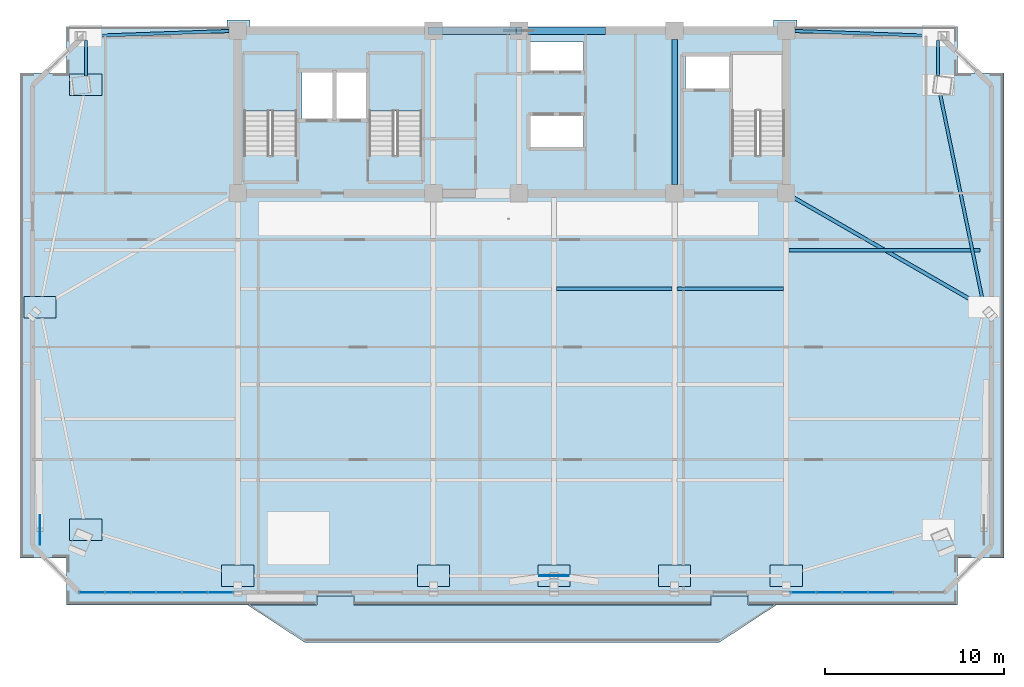
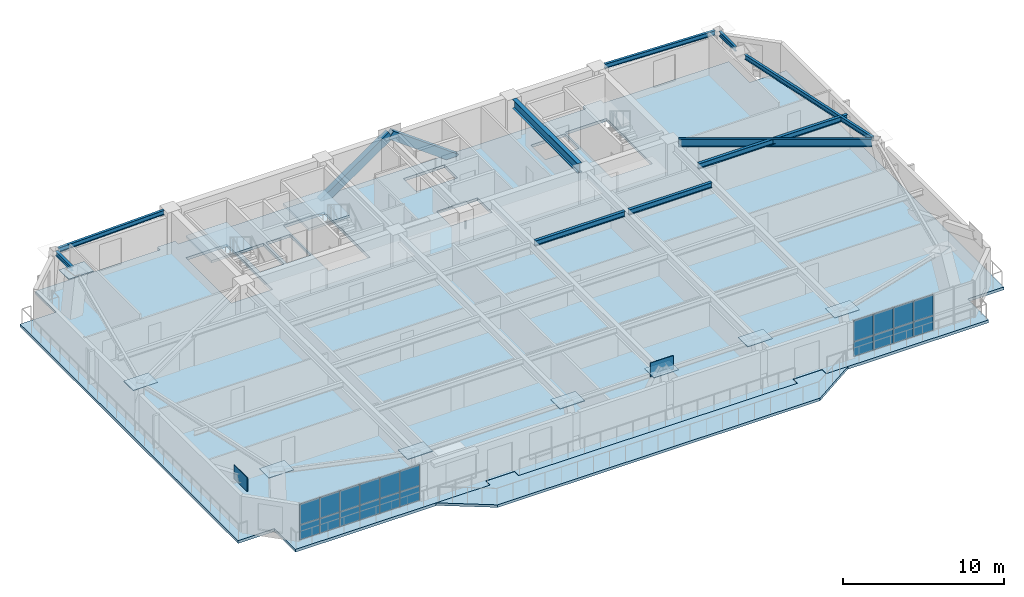
# One storey, part 7 of 16: 30 plates, 10 beams, 4 slabs, 2 members, 4 elements without a shape of their own.
"""IFC4 building model written with IfcOpenShell, lengths in metres."""

from ifc_helpers import new_model, si_unit, direction, frame, origin, origin_2d, place, context, subcontext, project, spatial, polyline, rectangle, hollow_rectangle, i_section, outline, extrude, source, transform, mapped, material, layer, layer_set, material_profile, profile_set, type_object, element, aggregate, save


model = new_model("IFC4")

# Units and contexts
model_context = context("Model", 3, precision=1e-05, world=origin(), true_north=direction((0.0, 1.0)))
body_context = subcontext(model_context, "Body", "Model", "MODEL_VIEW")
ifc_project = project(units=[si_unit("LENGTHUNIT", "METRE"), si_unit("AREAUNIT", "SQUARE_METRE"), si_unit("VOLUMEUNIT", "CUBIC_METRE"), si_unit("PLANEANGLEUNIT", "RADIAN"), si_unit("MASSUNIT", "GRAM", prefix="KILO")], contexts=[model_context])

# Site, building, storey
site_placement = place(None, origin())
site = spatial("IfcSite", under=ifc_project, at=site_placement, CompositionType="ELEMENT")
building_placement = place(site_placement, origin())
building = spatial("IfcBuilding", under=site, at=building_placement, Name="Giltprow Tower", CompositionType="ELEMENT")
storey_placement = place(building_placement, frame((0.0, 0.0, 255.300048828125)))
storey = spatial("IfcBuildingStorey", under=building, at=storey_placement, Name="L65", CompositionType="ELEMENT", Elevation=255.300048828125)

# Beams
ifc_material_1 = material(Name="Structural steel Q355B", Category="steel")
ifc_material_profile_1 = material_profile(ifc_material_1, i_section(OverallWidth=0.300048828125, OverallDepth=0.699951171875, WebThickness=0.012939453125, FlangeThickness=0.02392578125, at=origin_2d()), Name="HN 700x300x13x24")
ifc_profile_set_1 = profile_set([ifc_material_profile_1], Name="Structural steel Q355B")
beam_type_1 = type_object("IfcBeamType", Name="BM-GIRD-HN700", PredefinedType="BEAM", material=ifc_profile_set_1)
shared_shape_1 = source(origin(), body_context, "Body", "SweptSolid", [
    extrude(i_section(OverallWidth=0.300048828125, OverallDepth=0.699951171875, WebThickness=0.012939453125, FlangeThickness=0.02392578125, at=origin_2d()), origin(), (0.0, 0.0, 1.0), 8.1298828125),
])
beam_1_placement = place(storey_placement, frame((44.300048828125, 37.93505859375, 2.8349609375), z_axis=(0.0, 1.0, 0.0), x_axis=(-1.0, 0.0, 0.0)))
element("IfcBeam", 1, at=beam_1_placement, inside=storey, type_object=beam_type_1, Name="L65 Core Tie Girder M3", PredefinedType="BEAM", context=body_context, shape_type="MappedRepresentation", body=[
    mapped(shared_shape_1, transform((0.0, 0.0, 0.0), x_axis=(1.0, 0.0, 0.0), y_axis=(0.0, 1.0, 0.0), z_axis=(0.0, 0.0, 1.0), scale=1.0)),
])
ifc_material_profile_2 = material_profile(ifc_material_1, i_section(OverallWidth=0.199951171875, OverallDepth=0.39990234375, WebThickness=0.008056640625, FlangeThickness=0.012939453125, at=origin_2d()), Name="HN 400x200x8x13")
ifc_profile_set_2 = profile_set([ifc_material_profile_2], Name="Structural steel Q355B")
beam_type_2 = type_object("IfcBeamType", Name="BM-JOIST-HN400", PredefinedType="JOIST", material=ifc_profile_set_2)
shared_shape_2 = source(origin(), body_context, "Body", "SweptSolid", [
    extrude(i_section(OverallWidth=0.199951171875, OverallDepth=0.39990234375, WebThickness=0.008056640625, FlangeThickness=0.012939453125, at=origin_2d()), origin(), (0.0, 0.0, 1.0), 6.4599609375),
])
beam_2_placement = place(storey_placement, frame((37.695068359375, 32.09912109375, 2.98486328125), z_axis=(1.0, 0.0, 0.0), x_axis=(0.0, 1.0, 0.0)))
element("IfcBeam", 2, at=beam_2_placement, inside=storey, type_object=beam_type_2, Name="L65 Composite Floor Joist 3-3", PredefinedType="JOIST", context=body_context, shape_type="MappedRepresentation", body=[
    mapped(shared_shape_2, transform((0.0, 0.0, 0.0), x_axis=(1.0, 0.0, 0.0), y_axis=(0.0, 1.0, 0.0), z_axis=(0.0, 0.0, 1.0), scale=1.0)),
])
shared_shape_3 = source(origin(), body_context, "Body", "SweptSolid", [
    extrude(i_section(OverallWidth=0.199951171875, OverallDepth=0.39990234375, WebThickness=0.008056640625, FlangeThickness=0.012939453125, at=origin_2d()), origin(), (0.0, 0.0, 1.0), 5.9599609375),
])
beam_3_placement = place(storey_placement, frame((44.445068359375, 32.09912109375, 2.98486328125), z_axis=(1.0, 0.0, 0.0), x_axis=(0.0, 1.0, 0.0)))
element("IfcBeam", 3, at=beam_3_placement, inside=storey, type_object=beam_type_2, Name="L65 Composite Floor Joist 3-4", PredefinedType="JOIST", context=body_context, shape_type="MappedRepresentation", body=[
    mapped(shared_shape_3, transform((0.0, 0.0, 0.0), x_axis=(1.0, 0.0, 0.0), y_axis=(0.0, 1.0, 0.0), z_axis=(0.0, 0.0, 1.0), scale=1.0)),
])
ifc_material_profile_3 = material_profile(ifc_material_1, i_section(OverallWidth=0.175048828125, OverallDepth=0.35009765625, WebThickness=0.007080078125, FlangeThickness=0.010986328125, at=origin_2d()), Name="HN 350x175x7x11")
ifc_profile_set_3 = profile_set([ifc_material_profile_3], Name="Structural steel Q355B")
beam_type_3 = type_object("IfcBeamType", Name="BM-SPAN-HN350", PredefinedType="SPANDREL", material=ifc_profile_set_3)
shared_shape_4 = source(origin(), body_context, "Body", "SweptSolid", [
    extrude(i_section(OverallWidth=0.175048828125, OverallDepth=0.35009765625, WebThickness=0.007080078125, FlangeThickness=0.010986328125, at=origin_2d()), origin(), (0.0, 0.0, 1.0), 12.000244140625),
])
beam_4_placement = place(storey_placement, frame((61.574951171875, 31.302001953125, 3.010009765625), z_axis=(-0.202000773979, 0.979385362006, 0.0), x_axis=(-0.979385362006, -0.202000773979, 0.0)))
element("IfcBeam", 4, at=beam_4_placement, inside=storey, type_object=beam_type_3, Name="L65 Perimeter Spandrel Beam E_MID-MC_NE", PredefinedType="SPANDREL", context=body_context, shape_type="MappedRepresentation", body=[
    mapped(shared_shape_4, transform((0.0, 0.0, 0.0), x_axis=(1.0, 0.0, 0.0), y_axis=(0.0, 1.0, 0.0), z_axis=(0.0, 0.0, 1.0), scale=1.0)),
])
shared_shape_5 = source(origin(), body_context, "Body", "SweptSolid", [
    extrude(i_section(OverallWidth=0.175048828125, OverallDepth=0.35009765625, WebThickness=0.007080078125, FlangeThickness=0.010986328125, at=origin_2d()), origin(), (0.0, 0.0, 1.0), 2.0),
])
for number, where, z_axis, x_axis, name in (
    (5, (59.052978515625, 44.014892578125, 3.010009765625), (0.0, 1.0, 0.0), (-1.0, 0.0, 0.0), "L65 Perimeter Spandrel Beam MC_NE-N_E"),
    (6, (11.347900390625, 46.014892578125, 3.010009765625), (0.0, -1.0, 0.0), (1.0, 0.0, 0.0), "L65 Perimeter Spandrel Beam N_W-MC_NW"),
):
    element("IfcBeam", number, at=place(storey_placement, frame(where, z_axis=z_axis, x_axis=x_axis)), inside=storey, type_object=beam_type_3, Name=name, PredefinedType="SPANDREL", context=body_context, shape_type="MappedRepresentation", body=[
        mapped(shared_shape_5, transform((0.0, 0.0, 0.0), x_axis=(1.0, 0.0, 0.0), y_axis=(0.0, 1.0, 0.0), z_axis=(0.0, 0.0, 1.0), scale=1.0)),
    ])
shared_shape_6 = source(origin(), body_context, "Body", "SweptSolid", [
    extrude(i_section(OverallWidth=0.175048828125, OverallDepth=0.35009765625, WebThickness=0.007080078125, FlangeThickness=0.010986328125, at=origin_2d()), origin(), (0.0, 0.0, 1.0), 7.786865234375),
])
beam_5_placement = place(storey_placement, frame((11.5830078125, 46.258056640625, 3.010009765625), z_axis=(0.999376638226, 0.035303469636, 0.0), x_axis=(-0.035303469636, 0.999376638226, 0.0)))
element("IfcBeam", 7, at=beam_5_placement, inside=storey, type_object=beam_type_3, Name="L65 North Wing Spandrel W", PredefinedType="SPANDREL", context=body_context, shape_type="MappedRepresentation", body=[
    mapped(shared_shape_6, transform((0.0, 0.0, 0.0), x_axis=(1.0, 0.0, 0.0), y_axis=(0.0, 1.0, 0.0), z_axis=(0.0, 0.0, 1.0), scale=1.0)),
])
shared_shape_7 = source(origin(), body_context, "Body", "SweptSolid", [
    extrude(i_section(OverallWidth=0.175048828125, OverallDepth=0.35009765625, WebThickness=0.007080078125, FlangeThickness=0.010986328125, at=origin_2d()), origin(), (0.0, 0.0, 1.0), 7.7880859375),
])
beam_6_placement = place(storey_placement, frame((51.034912109375, 46.532958984375, 3.010009765625), z_axis=(0.999376833562, -0.035297939604, 0.0), x_axis=(0.035297939604, 0.999376833562, 0.0)))
element("IfcBeam", 8, at=beam_6_placement, inside=storey, type_object=beam_type_3, Name="L65 North Wing Spandrel E", PredefinedType="SPANDREL", context=body_context, shape_type="MappedRepresentation", body=[
    mapped(shared_shape_7, transform((0.0, 0.0, 0.0), x_axis=(1.0, 0.0, 0.0), y_axis=(0.0, 1.0, 0.0), z_axis=(0.0, 0.0, 1.0), scale=1.0)),
])
ifc_material_profile_4 = material_profile(ifc_material_1, i_section(OverallWidth=0.199951171875, OverallDepth=0.60009765625, WebThickness=0.010986328125, FlangeThickness=0.01708984375, at=origin_2d()), Name="HN 600x200x11x17")
ifc_profile_set_4 = profile_set([ifc_material_profile_4], Name="Structural steel Q355B")
beam_type_4 = type_object("IfcBeamType", Name="BM-GIRD-HN600", PredefinedType="BEAM", material=ifc_profile_set_4)
shared_shape_8 = source(origin(), body_context, "Body", "SweptSolid", [
    extrude(i_section(OverallWidth=0.199951171875, OverallDepth=0.60009765625, WebThickness=0.010986328125, FlangeThickness=0.01708984375, at=origin_2d()), origin(), (0.0, 0.0, 1.0), 12.057861328125),
])
beam_7_placement = place(storey_placement, frame((61.41796875, 31.18896484375, 2.885009765625), z_axis=(-0.866495874542, 0.499184233928, 0.0), x_axis=(-0.499184233928, -0.866495874542, 0.0)))
element("IfcBeam", 9, at=beam_7_placement, inside=storey, type_object=beam_type_4, Name="L65 East Wing Primary Girder", PredefinedType="BEAM", context=body_context, shape_type="MappedRepresentation", body=[
    mapped(shared_shape_8, transform((0.0, 0.0, 0.0), x_axis=(1.0, 0.0, 0.0), y_axis=(0.0, 1.0, 0.0), z_axis=(0.0, 0.0, 1.0), scale=1.0)),
])
shared_shape_9 = source(origin(), body_context, "Body", "SweptSolid", [
    extrude(i_section(OverallWidth=0.199951171875, OverallDepth=0.39990234375, WebThickness=0.008056640625, FlangeThickness=0.012939453125, at=origin_2d()), origin(), (0.0, 0.0, 1.0), 10.70703125),
])
beam_8_placement = place(storey_placement, frame((50.695068359375, 34.260986328125, 2.98486328125), z_axis=(1.0, 0.0, 0.0), x_axis=(0.0, 1.0, 0.0)))
element("IfcBeam", 10, at=beam_8_placement, inside=storey, type_object=beam_type_2, Name="L65 East Wing Floor Joist 2", PredefinedType="JOIST", context=body_context, shape_type="MappedRepresentation", body=[
    mapped(shared_shape_9, transform((0.0, 0.0, 0.0), x_axis=(1.0, 0.0, 0.0), y_axis=(0.0, 1.0, 0.0), z_axis=(0.0, 0.0, 1.0), scale=1.0)),
])

# Members
ifc_material_2 = material(Name="Structural steel Q420GJC", Category="steel")
ifc_material_profile_5 = material_profile(ifc_material_2, hollow_rectangle(XDim=0.39990234375, YDim=0.60009765625, WallThickness=0.028076171875, at=origin_2d()), Name="RHS 600x400x28")
ifc_profile_set_5 = profile_set([ifc_material_profile_5], Name="Structural steel Q420GJC")
member_type = type_object("IfcMemberType", Name="MBR-MEGA-RHS600", PredefinedType="BRACE", material=ifc_profile_set_5)
shared_shape_10 = source(origin(), body_context, "Body", "SweptSolid", [
    extrude(hollow_rectangle(XDim=0.39990234375, YDim=0.60009765625, WallThickness=0.028076171875, at=origin_2d()), origin(), (0.0, 0.0, 1.0), 5.774169921875),
])
member_1_placement = place(storey_placement, frame((40.26708984375, 46.550048828125, -0.14013671875), z_axis=(-0.808243970451, 0.0, 0.588847759807), x_axis=(0.0, -1.0, 0.0)))
element("IfcMember", 11, at=member_1_placement, inside=storey, type_object=member_type, Name="L65 Chevron Mega-Brace N-R", PredefinedType="BRACE", context=body_context, shape_type="MappedRepresentation", body=[
    mapped(shared_shape_10, transform((0.0, 0.0, 0.0), x_axis=(1.0, 0.0, 0.0), y_axis=(0.0, 1.0, 0.0), z_axis=(0.0, 0.0, 1.0), scale=1.0)),
])
shared_shape_11 = source(origin(), body_context, "Body", "SweptSolid", [
    extrude(hollow_rectangle(XDim=0.39990234375, YDim=0.60009765625, WallThickness=0.028076171875, at=origin_2d()), origin(), (0.0, 0.0, 1.0), 5.991455078125),
])
member_2_placement = place(storey_placement, frame((30.6669921875, 46.550048828125, -0.14013671875), z_axis=(0.823368394688, 0.0, 0.567507256895), x_axis=(0.0, 1.0, 0.0)))
element("IfcMember", 12, at=member_2_placement, inside=storey, type_object=member_type, Name="L65 Chevron Mega-Brace N-L", PredefinedType="BRACE", context=body_context, shape_type="MappedRepresentation", body=[
    mapped(shared_shape_11, transform((0.0, 0.0, 0.0), x_axis=(1.0, 0.0, 0.0), y_axis=(0.0, 1.0, 0.0), z_axis=(0.0, 0.0, 1.0), scale=1.0)),
])

# Slabs
ifc_material_3 = material(Name="Concrete C40", Category="concrete")
ifc_layer_1 = layer(ifc_material_3, 0.199951171875, Name="Concrete C40")
ifc_layer_set_1 = layer_set([ifc_layer_1], Name="Concrete C40")
slab_type_1 = type_object("IfcSlabType", Name="SLB-BALC-BRONZE-200", PredefinedType="FLOOR", material=ifc_layer_set_1)
slab_1_placement = place(storey_placement, frame((0.0, 0.0, -0.199951171875)))
element("IfcSlab", 13, at=slab_1_placement, inside=storey, type_object=slab_type_1, Name="L65 Bronze Prow Waterfront Balcony Slab", PredefinedType="FLOOR", context=body_context, shape_type="SweptSolid", body=[
    extrude(outline(polyline([(50.0, 14.4130859375), (46.800048828125, 12.31298828125), (23.60009765625, 12.31298828125), (20.39990234375, 14.4130859375), (24.280029296875, 14.4130859375), (24.280029296875, 14.9130859375), (26.320068359375, 14.9130859375), (26.320068359375, 14.4130859375), (46.3798828125, 14.4130859375), (46.3798828125, 14.9130859375), (48.419921875, 14.9130859375), (48.419921875, 14.4130859375), (50.0, 14.4130859375)])), origin(), (0.0, 0.0, 1.0), 0.199951171875),
])
ifc_layer_2 = layer(ifc_material_3, 0.215087890625, Name="Concrete C40")
ifc_layer_set_2 = layer_set([ifc_layer_2], Name="Concrete C40")
slab_type_2 = type_object("IfcSlabType", Name="SLB-RES-215", PredefinedType="FLOOR", material=ifc_layer_set_2)
slab_2_placement = place(storey_placement, frame((0.0, 0.0, -0.215087890625)))
element("IfcSlab", 14, at=slab_2_placement, inside=storey, type_object=slab_type_2, Name="L65 Structural Composite Floor Slab", PredefinedType="FLOOR", context=body_context, shape_type="SweptSolid", body=[
    extrude(outline(polyline([(62.737060546875, 44.18408203125), (62.737060546875, 17.028076171875), (60.1220703125, 17.028076171875), (60.1220703125, 14.4130859375), (48.449951171875, 14.4130859375), (48.449951171875, 14.93310546875), (46.35009765625, 14.93310546875), (46.35009765625, 14.4130859375), (26.35009765625, 14.4130859375), (26.35009765625, 14.93310546875), (24.25, 14.93310546875), (24.25, 14.4130859375), (10.279052734375, 14.4130859375), (10.279052734375, 17.028076171875), (7.6640625, 17.028076171875), (7.6640625, 44.18408203125), (10.279052734375, 44.18408203125), (10.279052734375, 46.800048828125), (19.25, 46.800048828125), (19.25, 47.14990234375), (20.550048828125, 47.14990234375), (20.550048828125, 46.800048828125), (49.85009765625, 46.800048828125), (49.85009765625, 47.14990234375), (51.14990234375, 47.14990234375), (51.14990234375, 46.800048828125), (60.1220703125, 46.800048828125), (60.1220703125, 44.18408203125), (62.737060546875, 44.18408203125)]), holes=[polyline([(39.18994140625, 41.800048828125), (36.239990234375, 41.800048828125), (36.239990234375, 40.0), (39.18994140625, 40.0), (39.18994140625, 41.800048828125)]), polyline([(23.159912109375, 39.570068359375), (23.159912109375, 45.25), (20.199951171875, 45.25), (20.199951171875, 39.570068359375), (23.159912109375, 39.570068359375)]), polyline([(30.159912109375, 39.570068359375), (30.159912109375, 45.25), (27.199951171875, 45.25), (27.199951171875, 39.570068359375), (30.159912109375, 39.570068359375)]), polyline([(50.4599609375, 45.25), (47.5, 45.25), (47.5, 39.570068359375), (50.4599609375, 39.570068359375), (50.4599609375, 45.25)]), polyline([(25.169921875, 44.199951171875), (23.449951171875, 44.199951171875), (23.449951171875, 41.60009765625), (25.169921875, 41.60009765625), (25.169921875, 44.199951171875)]), polyline([(27.10009765625, 44.199951171875), (25.35009765625, 44.199951171875), (25.35009765625, 41.60009765625), (27.10009765625, 41.60009765625), (27.10009765625, 44.199951171875)]), polyline([(47.3798828125, 43.300048828125), (47.3798828125, 45.10009765625), (44.919921875, 45.10009765625), (44.919921875, 43.300048828125), (47.3798828125, 43.300048828125)]), polyline([(39.18994140625, 44.300048828125), (39.18994140625, 45.919921875), (36.239990234375, 45.919921875), (36.239990234375, 44.300048828125), (39.18994140625, 44.300048828125)])]), origin(), (0.0, 0.0, 1.0), 0.215087890625),
])

# Stair, slab
stair_type_1 = type_object("IfcStairType", Name="STR-ST-1", PredefinedType="HALF_TURN_STAIR", material=ifc_material_3)
stair_1_placement = place(storey_placement, origin())
stair_1 = element("IfcStair", 15, at=stair_1_placement, inside=storey, type_object=stair_type_1, Name="L65 Core Exit Stair ST-1", PredefinedType="HALF_TURN_STAIR")
ifc_layer_3 = layer(ifc_material_3, 0.179931640625, Name="Concrete C40")
ifc_layer_set_3 = layer_set([ifc_layer_3], Name="Concrete C40")
slab_type_3 = type_object("IfcSlabType", Name="SLD-ST-1", PredefinedType="LANDING", material=ifc_layer_set_3)
slab_3_placement = place(storey_placement, frame((0.0, 0.0, 1.52001953125)))
slab_3 = element("IfcSlab", 16, at=slab_3_placement, type_object=slab_type_3, Name="ST-1 landing 1", PredefinedType="LANDING", context=body_context, shape_type="SweptSolid", body=[
    extrude(outline(polyline([(23.159912109375, 42.070068359375), (23.159912109375, 45.25), (20.199951171875, 45.25), (20.199951171875, 42.070068359375), (23.159912109375, 42.070068359375)])), origin(), (0.0, 0.0, 1.0), 0.179931640625),
])
aggregate(stair_1, [slab_3])

stair_type_2 = type_object("IfcStairType", Name="STR-ST-2", PredefinedType="HALF_TURN_STAIR", material=ifc_material_3)
stair_2_placement = place(storey_placement, origin())
stair_2 = element("IfcStair", 17, at=stair_2_placement, inside=storey, type_object=stair_type_2, Name="L65 Core Exit Stair ST-2", PredefinedType="HALF_TURN_STAIR")
ifc_layer_4 = layer(ifc_material_3, 0.18798828125, Name="Concrete C40")
ifc_layer_set_4 = layer_set([ifc_layer_4], Name="Concrete C40")
slab_type_4 = type_object("IfcSlabType", Name="SLD-ST-2", PredefinedType="LANDING", material=ifc_layer_set_4)
slab_4_placement = place(storey_placement, frame((0.0, 0.0, 1.511962890625)))
slab_4 = element("IfcSlab", 18, at=slab_4_placement, type_object=slab_type_4, Name="ST-2 landing 1", PredefinedType="LANDING", context=body_context, shape_type="SweptSolid", body=[
    extrude(outline(polyline([(30.159912109375, 42.070068359375), (30.159912109375, 45.25), (27.199951171875, 45.25), (27.199951171875, 42.070068359375), (30.159912109375, 42.070068359375)])), origin(), (0.0, 0.0, 1.0), 0.18798828125),
])
aggregate(stair_2, [slab_4])

# Plates
plate_type_1 = type_object("IfcPlateType", Name="PLT-NODE-CKN1", PredefinedType="USERDEFINED", material=ifc_material_2)
shared_shape_12 = source(origin(), body_context, "Body", "SweptSolid", [
    extrude(rectangle(XDim=1.800048828125, YDim=1.199951171875, at=origin_2d()), origin(), (0.0, 0.0, 1.0), 0.044921875),
])
for number, where, z_axis, x_axis, name in (
    (19, (11.347900390625, 18.614013671875, 3.142578125), (0.0, 0.0, 1.0), (1.0, 0.0, 0.0), "CKN1 Column Taper Splice Node L65-MC_SW"),
    (20, (11.347900390625, 43.530029296875, 3.142578125), (0.0, 0.0, 1.0), (1.0, 0.0, 0.0), "CKN1 Column Taper Splice Node L65-MC_NW"),
    (21, (19.85009765625, 16.044921875, 3.142578125), (0.0, 0.0, 1.0), (1.0, 0.0, 0.0), "CKN1 Column Taper Splice Node L65-S1"),
    (22, (30.800048828125, 16.044921875, 3.142578125), (0.0, 0.0, 1.0), (1.0, 0.0, 0.0), "CKN1 Column Taper Splice Node L65-S2"),
    (23, (37.550048828125, 16.044921875, 3.142578125), (0.0, 0.0, 1.0), (1.0, 0.0, 0.0), "CKN1 Column Taper Splice Node L65-S_MID"),
    (24, (44.300048828125, 16.044921875, 3.142578125), (0.0, 0.0, 1.0), (1.0, 0.0, 0.0), "CKN1 Column Taper Splice Node L65-S3"),
    (25, (50.550048828125, 16.044921875, 3.142578125), (0.0, 0.0, 1.0), (1.0, 0.0, 0.0), "CKN1 Column Taper Splice Node L65-S4"),
    (26, (8.779052734375, 31.072021484375, 3.142578125), (0.0, 0.0, 1.0), (1.0, 0.0, 0.0), "CKN1 Column Taper Splice Node L65-W_MID"),
):
    element("IfcPlate", number, at=place(storey_placement, frame(where, z_axis=z_axis, x_axis=x_axis)), inside=storey, type_object=plate_type_1, Name=name, ObjectType="SPLICE", PredefinedType="USERDEFINED", context=body_context, shape_type="MappedRepresentation", body=[
        mapped(shared_shape_12, transform((0.0, 0.0, 0.0), x_axis=(1.0, 0.0, 0.0), y_axis=(0.0, 1.0, 0.0), z_axis=(0.0, 0.0, 1.0), scale=1.0)),
    ])
plate_type_2 = type_object("IfcPlateType", Name="PLT-NODE-MBN2", PredefinedType="USERDEFINED", material=ifc_material_2)
shared_shape_13 = source(origin(), body_context, "Body", "SweptSolid", [
    extrude(rectangle(XDim=1.64990234375, YDim=0.044921875, at=origin_2d()), origin(), (0.0, 0.0, 1.0), 1.050048828125),
])
for number, where, z_axis, x_axis, name in (
    (27, (37.550048828125, 16.044921875, 2.875), (0.0, 0.0, 1.0), (1.0, 0.0, 0.0), "Mega-Brace Node L65-S-LB"),
    (28, (8.779052734375, 18.614013671875, 2.875), (0.0, 0.0, 1.0), (0.0, 1.0, 0.0), "Mega-Brace Node L65-W-DB"),
):
    element("IfcPlate", number, at=place(storey_placement, frame(where, z_axis=z_axis, x_axis=x_axis)), inside=storey, type_object=plate_type_2, Name=name, ObjectType="GUSSET", PredefinedType="USERDEFINED", context=body_context, shape_type="MappedRepresentation", body=[
        mapped(shared_shape_13, transform((0.0, 0.0, 0.0), x_axis=(1.0, 0.0, 0.0), y_axis=(0.0, 1.0, 0.0), z_axis=(0.0, 0.0, 1.0), scale=1.0)),
    ])

# Curtain wall, plates
ifc_material_4 = material(Name="Anodized bronze", Category="metal")
ifc_layer_5 = layer(ifc_material_4, 0.179931640625, Name="Anodized bronze")
ifc_layer_set_5 = layer_set([ifc_layer_5], Name="Anodized bronze")
curtain_wall_type = type_object("IfcCurtainWallType", Name="CW-RES-SKY", PredefinedType="NOTDEFINED", material=ifc_layer_set_5)
curtain_wall_1_placement = place(storey_placement, origin())
curtain_wall_1 = element("IfcCurtainWall", 29, at=curtain_wall_1_placement, inside=storey, type_object=curtain_wall_type, Name="L65 South Recessed Curtain Wall 1", PredefinedType="NOTDEFINED")
ifc_material_5 = material(Name="Insulated glass", Category="glass")
plate_type_3 = type_object("IfcPlateType", Name="CW-PANEL-IGU-28", PredefinedType="CURTAIN_PANEL", material=ifc_material_5)
shared_shape_14 = source(origin(), body_context, "Body", "SweptSolid", [
    extrude(rectangle(XDim=1.406982421875, YDim=0.028076171875, at=origin_2d()), origin(), (0.0, 0.0, 1.0), 1.114013671875),
])
plate_1_placement = place(storey_placement, frame((11.697021484375, 15.113037109375, 0.0537109375), z_axis=(0.0, 0.0, 1.0), x_axis=(1.0, 0.0, 0.0)))
plate_1 = element("IfcPlate", 30, at=plate_1_placement, type_object=plate_type_3, Name="L65 South Recessed Curtain Wall 1 Glazing Panel 1-1", PredefinedType="CURTAIN_PANEL", context=body_context, shape_type="MappedRepresentation", body=[
    mapped(shared_shape_14, transform((0.0, 0.0, 0.0), x_axis=(1.0, 0.0, 0.0), y_axis=(0.0, 1.0, 0.0), z_axis=(0.0, 0.0, 1.0), scale=1.0)),
])
plate_2_placement = place(storey_placement, frame((13.134033203125, 15.113037109375, 0.0537109375), z_axis=(0.0, 0.0, 1.0), x_axis=(1.0, 0.0, 0.0)))
plate_2 = element("IfcPlate", 31, at=plate_2_placement, type_object=plate_type_3, Name="L65 South Recessed Curtain Wall 1 Glazing Panel 2-1", PredefinedType="CURTAIN_PANEL", context=body_context, shape_type="MappedRepresentation", body=[
    mapped(shared_shape_14, transform((0.0, 0.0, 0.0), x_axis=(1.0, 0.0, 0.0), y_axis=(0.0, 1.0, 0.0), z_axis=(0.0, 0.0, 1.0), scale=1.0)),
])
plate_3_placement = place(storey_placement, frame((14.571044921875, 15.113037109375, 0.0537109375), z_axis=(0.0, 0.0, 1.0), x_axis=(1.0, 0.0, 0.0)))
plate_3 = element("IfcPlate", 32, at=plate_3_placement, type_object=plate_type_3, Name="L65 South Recessed Curtain Wall 1 Glazing Panel 3-1", PredefinedType="CURTAIN_PANEL", context=body_context, shape_type="MappedRepresentation", body=[
    mapped(shared_shape_14, transform((0.0, 0.0, 0.0), x_axis=(1.0, 0.0, 0.0), y_axis=(0.0, 1.0, 0.0), z_axis=(0.0, 0.0, 1.0), scale=1.0)),
])
plate_4_placement = place(storey_placement, frame((16.008056640625, 15.113037109375, 0.0537109375), z_axis=(0.0, 0.0, 1.0), x_axis=(1.0, 0.0, 0.0)))
plate_4 = element("IfcPlate", 33, at=plate_4_placement, type_object=plate_type_3, Name="L65 South Recessed Curtain Wall 1 Glazing Panel 4-1", PredefinedType="CURTAIN_PANEL", context=body_context, shape_type="MappedRepresentation", body=[
    mapped(shared_shape_14, transform((0.0, 0.0, 0.0), x_axis=(1.0, 0.0, 0.0), y_axis=(0.0, 1.0, 0.0), z_axis=(0.0, 0.0, 1.0), scale=1.0)),
])
plate_5_placement = place(storey_placement, frame((17.445068359375, 15.113037109375, 0.0537109375), z_axis=(0.0, 0.0, 1.0), x_axis=(1.0, 0.0, 0.0)))
plate_5 = element("IfcPlate", 34, at=plate_5_placement, type_object=plate_type_3, Name="L65 South Recessed Curtain Wall 1 Glazing Panel 5-1", PredefinedType="CURTAIN_PANEL", context=body_context, shape_type="MappedRepresentation", body=[
    mapped(shared_shape_14, transform((0.0, 0.0, 0.0), x_axis=(1.0, 0.0, 0.0), y_axis=(0.0, 1.0, 0.0), z_axis=(0.0, 0.0, 1.0), scale=1.0)),
])
plate_6_placement = place(storey_placement, frame((18.882080078125, 15.113037109375, 0.0537109375), z_axis=(0.0, 0.0, 1.0), x_axis=(1.0, 0.0, 0.0)))
plate_6 = element("IfcPlate", 35, at=plate_6_placement, type_object=plate_type_3, Name="L65 South Recessed Curtain Wall 1 Glazing Panel 6-1", PredefinedType="CURTAIN_PANEL", context=body_context, shape_type="MappedRepresentation", body=[
    mapped(shared_shape_14, transform((0.0, 0.0, 0.0), x_axis=(1.0, 0.0, 0.0), y_axis=(0.0, 1.0, 0.0), z_axis=(0.0, 0.0, 1.0), scale=1.0)),
])

curtain_wall_2_placement = place(storey_placement, origin())
curtain_wall_2 = element("IfcCurtainWall", 36, at=curtain_wall_2_placement, inside=storey, type_object=curtain_wall_type, Name="L65 South Recessed Curtain Wall 6", PredefinedType="NOTDEFINED")
plate_7_placement = place(storey_placement, frame((51.51806640625, 15.113037109375, 0.0537109375), z_axis=(0.0, 0.0, 1.0), x_axis=(1.0, 0.0, 0.0)))
plate_7 = element("IfcPlate", 37, at=plate_7_placement, type_object=plate_type_3, Name="L65 South Recessed Curtain Wall 6 Glazing Panel 1-1", PredefinedType="CURTAIN_PANEL", context=body_context, shape_type="MappedRepresentation", body=[
    mapped(shared_shape_14, transform((0.0, 0.0, 0.0), x_axis=(1.0, 0.0, 0.0), y_axis=(0.0, 1.0, 0.0), z_axis=(0.0, 0.0, 1.0), scale=1.0)),
])
plate_8_placement = place(storey_placement, frame((52.9560546875, 15.113037109375, 0.0537109375), z_axis=(0.0, 0.0, 1.0), x_axis=(1.0, 0.0, 0.0)))
plate_8 = element("IfcPlate", 38, at=plate_8_placement, type_object=plate_type_3, Name="L65 South Recessed Curtain Wall 6 Glazing Panel 2-1", PredefinedType="CURTAIN_PANEL", context=body_context, shape_type="MappedRepresentation", body=[
    mapped(shared_shape_14, transform((0.0, 0.0, 0.0), x_axis=(1.0, 0.0, 0.0), y_axis=(0.0, 1.0, 0.0), z_axis=(0.0, 0.0, 1.0), scale=1.0)),
])
plate_9_placement = place(storey_placement, frame((54.39208984375, 15.113037109375, 0.0537109375), z_axis=(0.0, 0.0, 1.0), x_axis=(1.0, 0.0, 0.0)))
plate_9 = element("IfcPlate", 39, at=plate_9_placement, type_object=plate_type_3, Name="L65 South Recessed Curtain Wall 6 Glazing Panel 3-1", PredefinedType="CURTAIN_PANEL", context=body_context, shape_type="MappedRepresentation", body=[
    mapped(shared_shape_14, transform((0.0, 0.0, 0.0), x_axis=(1.0, 0.0, 0.0), y_axis=(0.0, 1.0, 0.0), z_axis=(0.0, 0.0, 1.0), scale=1.0)),
])
plate_10_placement = place(storey_placement, frame((55.8291015625, 15.113037109375, 0.0537109375), z_axis=(0.0, 0.0, 1.0), x_axis=(1.0, 0.0, 0.0)))
plate_10 = element("IfcPlate", 40, at=plate_10_placement, type_object=plate_type_3, Name="L65 South Recessed Curtain Wall 6 Glazing Panel 4-1", PredefinedType="CURTAIN_PANEL", context=body_context, shape_type="MappedRepresentation", body=[
    mapped(shared_shape_14, transform((0.0, 0.0, 0.0), x_axis=(1.0, 0.0, 0.0), y_axis=(0.0, 1.0, 0.0), z_axis=(0.0, 0.0, 1.0), scale=1.0)),
])

# Plate
shared_shape_15 = source(origin(), body_context, "Body", "SweptSolid", [
    extrude(rectangle(XDim=1.406982421875, YDim=0.028076171875, at=origin_2d()), origin(), (0.0, 0.0, 1.0), 1.56494140625),
])
plate_11_placement = place(storey_placement, frame((11.697021484375, 15.113037109375, 1.196533203125), z_axis=(0.0, 0.0, 1.0), x_axis=(1.0, 0.0, 0.0)))
plate_11 = element("IfcPlate", 41, at=plate_11_placement, type_object=plate_type_3, Name="L65 South Recessed Curtain Wall 1 Glazing Panel 1-2", PredefinedType="CURTAIN_PANEL", context=body_context, shape_type="MappedRepresentation", body=[
    mapped(shared_shape_15, transform((0.0, 0.0, 0.0), x_axis=(1.0, 0.0, 0.0), y_axis=(0.0, 1.0, 0.0), z_axis=(0.0, 0.0, 1.0), scale=1.0)),
])

plate_12_placement = place(storey_placement, frame((13.134033203125, 15.113037109375, 1.196533203125), z_axis=(0.0, 0.0, 1.0), x_axis=(1.0, 0.0, 0.0)))
plate_12 = element("IfcPlate", 42, at=plate_12_placement, type_object=plate_type_3, Name="L65 South Recessed Curtain Wall 1 Glazing Panel 2-2", PredefinedType="CURTAIN_PANEL", context=body_context, shape_type="MappedRepresentation", body=[
    mapped(shared_shape_15, transform((0.0, 0.0, 0.0), x_axis=(1.0, 0.0, 0.0), y_axis=(0.0, 1.0, 0.0), z_axis=(0.0, 0.0, 1.0), scale=1.0)),
])

plate_13_placement = place(storey_placement, frame((14.571044921875, 15.113037109375, 1.196533203125), z_axis=(0.0, 0.0, 1.0), x_axis=(1.0, 0.0, 0.0)))
plate_13 = element("IfcPlate", 43, at=plate_13_placement, type_object=plate_type_3, Name="L65 South Recessed Curtain Wall 1 Glazing Panel 3-2", PredefinedType="CURTAIN_PANEL", context=body_context, shape_type="MappedRepresentation", body=[
    mapped(shared_shape_15, transform((0.0, 0.0, 0.0), x_axis=(1.0, 0.0, 0.0), y_axis=(0.0, 1.0, 0.0), z_axis=(0.0, 0.0, 1.0), scale=1.0)),
])

plate_14_placement = place(storey_placement, frame((16.008056640625, 15.113037109375, 1.196533203125), z_axis=(0.0, 0.0, 1.0), x_axis=(1.0, 0.0, 0.0)))
plate_14 = element("IfcPlate", 44, at=plate_14_placement, type_object=plate_type_3, Name="L65 South Recessed Curtain Wall 1 Glazing Panel 4-2", PredefinedType="CURTAIN_PANEL", context=body_context, shape_type="MappedRepresentation", body=[
    mapped(shared_shape_15, transform((0.0, 0.0, 0.0), x_axis=(1.0, 0.0, 0.0), y_axis=(0.0, 1.0, 0.0), z_axis=(0.0, 0.0, 1.0), scale=1.0)),
])

plate_15_placement = place(storey_placement, frame((17.445068359375, 15.113037109375, 1.196533203125), z_axis=(0.0, 0.0, 1.0), x_axis=(1.0, 0.0, 0.0)))
plate_15 = element("IfcPlate", 45, at=plate_15_placement, type_object=plate_type_3, Name="L65 South Recessed Curtain Wall 1 Glazing Panel 5-2", PredefinedType="CURTAIN_PANEL", context=body_context, shape_type="MappedRepresentation", body=[
    mapped(shared_shape_15, transform((0.0, 0.0, 0.0), x_axis=(1.0, 0.0, 0.0), y_axis=(0.0, 1.0, 0.0), z_axis=(0.0, 0.0, 1.0), scale=1.0)),
])

plate_16_placement = place(storey_placement, frame((18.882080078125, 15.113037109375, 1.196533203125), z_axis=(0.0, 0.0, 1.0), x_axis=(1.0, 0.0, 0.0)))
plate_16 = element("IfcPlate", 46, at=plate_16_placement, type_object=plate_type_3, Name="L65 South Recessed Curtain Wall 1 Glazing Panel 6-2", PredefinedType="CURTAIN_PANEL", context=body_context, shape_type="MappedRepresentation", body=[
    mapped(shared_shape_15, transform((0.0, 0.0, 0.0), x_axis=(1.0, 0.0, 0.0), y_axis=(0.0, 1.0, 0.0), z_axis=(0.0, 0.0, 1.0), scale=1.0)),
])

aggregate(curtain_wall_1, [plate_1, plate_11, plate_2, plate_12, plate_3, plate_13, plate_4, plate_14, plate_5, plate_15, plate_6, plate_16])

plate_17_placement = place(storey_placement, frame((51.51806640625, 15.113037109375, 1.196533203125), z_axis=(0.0, 0.0, 1.0), x_axis=(1.0, 0.0, 0.0)))
plate_17 = element("IfcPlate", 47, at=plate_17_placement, type_object=plate_type_3, Name="L65 South Recessed Curtain Wall 6 Glazing Panel 1-2", PredefinedType="CURTAIN_PANEL", context=body_context, shape_type="MappedRepresentation", body=[
    mapped(shared_shape_15, transform((0.0, 0.0, 0.0), x_axis=(1.0, 0.0, 0.0), y_axis=(0.0, 1.0, 0.0), z_axis=(0.0, 0.0, 1.0), scale=1.0)),
])

plate_18_placement = place(storey_placement, frame((52.9560546875, 15.113037109375, 1.196533203125), z_axis=(0.0, 0.0, 1.0), x_axis=(1.0, 0.0, 0.0)))
plate_18 = element("IfcPlate", 48, at=plate_18_placement, type_object=plate_type_3, Name="L65 South Recessed Curtain Wall 6 Glazing Panel 2-2", PredefinedType="CURTAIN_PANEL", context=body_context, shape_type="MappedRepresentation", body=[
    mapped(shared_shape_15, transform((0.0, 0.0, 0.0), x_axis=(1.0, 0.0, 0.0), y_axis=(0.0, 1.0, 0.0), z_axis=(0.0, 0.0, 1.0), scale=1.0)),
])

plate_19_placement = place(storey_placement, frame((54.39208984375, 15.113037109375, 1.196533203125), z_axis=(0.0, 0.0, 1.0), x_axis=(1.0, 0.0, 0.0)))
plate_19 = element("IfcPlate", 49, at=plate_19_placement, type_object=plate_type_3, Name="L65 South Recessed Curtain Wall 6 Glazing Panel 3-2", PredefinedType="CURTAIN_PANEL", context=body_context, shape_type="MappedRepresentation", body=[
    mapped(shared_shape_15, transform((0.0, 0.0, 0.0), x_axis=(1.0, 0.0, 0.0), y_axis=(0.0, 1.0, 0.0), z_axis=(0.0, 0.0, 1.0), scale=1.0)),
])

plate_20_placement = place(storey_placement, frame((55.8291015625, 15.113037109375, 1.196533203125), z_axis=(0.0, 0.0, 1.0), x_axis=(1.0, 0.0, 0.0)))
plate_20 = element("IfcPlate", 50, at=plate_20_placement, type_object=plate_type_3, Name="L65 South Recessed Curtain Wall 6 Glazing Panel 4-2", PredefinedType="CURTAIN_PANEL", context=body_context, shape_type="MappedRepresentation", body=[
    mapped(shared_shape_15, transform((0.0, 0.0, 0.0), x_axis=(1.0, 0.0, 0.0), y_axis=(0.0, 1.0, 0.0), z_axis=(0.0, 0.0, 1.0), scale=1.0)),
])

aggregate(curtain_wall_2, [plate_7, plate_17, plate_8, plate_18, plate_9, plate_19, plate_10, plate_20])

save(model, "model.ifc")
